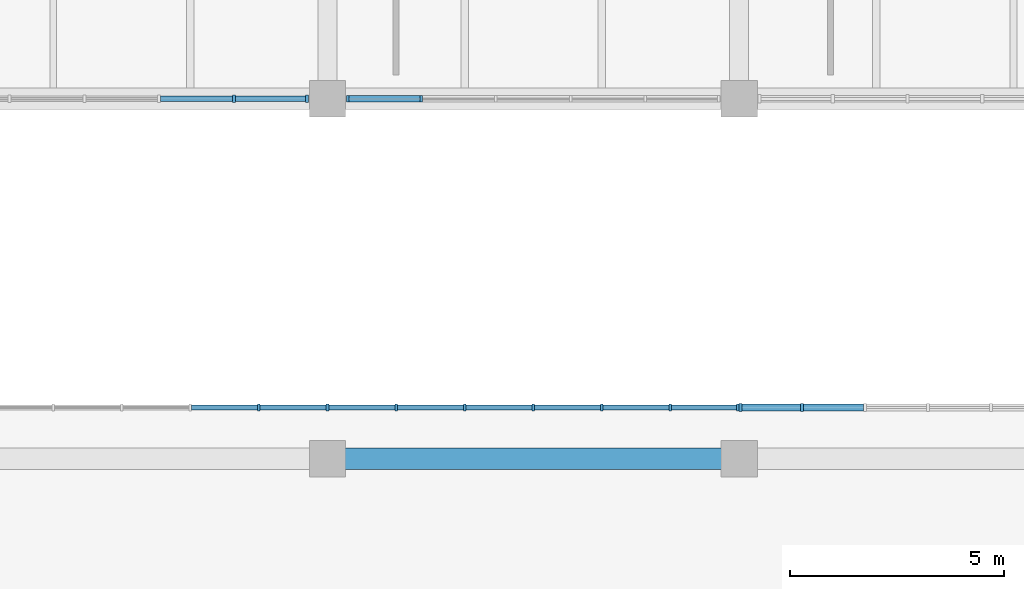
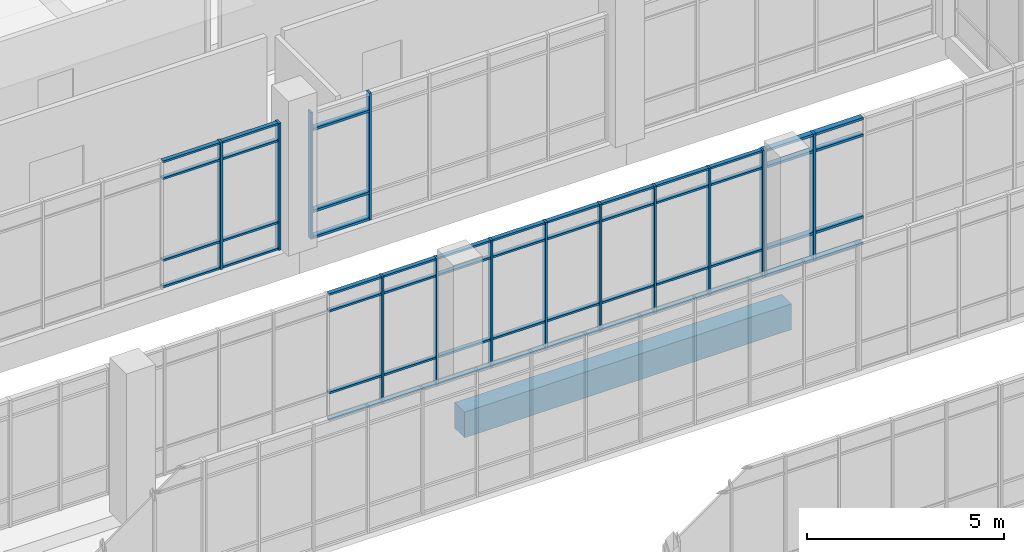
# One storey, part 59 of 152: 65 members, 1 beam, 4 elements without a shape of their own.
"""IFC4 building model written with IfcOpenShell, lengths in metres."""

from ifc_helpers import new_model, si_unit, direction, frame, origin, origin_2d, place, context, subcontext, project, spatial, rectangle, extrude, material, material_profile, profile_set, type_object, element, aggregate, save


model = new_model("IFC4")

# Units and contexts
model_context = context("Model", 3, precision=1e-05, world=origin(), true_north=direction((0.0, 1.0)))
body_context = subcontext(model_context, "Body", "Model", "MODEL_VIEW")
ifc_project = project(units=[si_unit("LENGTHUNIT", "METRE"), si_unit("AREAUNIT", "SQUARE_METRE"), si_unit("VOLUMEUNIT", "CUBIC_METRE"), si_unit("PLANEANGLEUNIT", "RADIAN"), si_unit("MASSUNIT", "GRAM", prefix="KILO")], contexts=[model_context])

# Site, building, storey
site_placement = place(None, origin())
site = spatial("IfcSite", under=ifc_project, at=site_placement, CompositionType="ELEMENT")
building_placement = place(site_placement, origin())
building = spatial("IfcBuilding", under=site, at=building_placement, Name="Oolite Switchyard Hospital", CompositionType="ELEMENT")
storey_placement = place(building_placement, frame((0.0, 0.0, 5.10009765625)))
storey = spatial("IfcBuildingStorey", under=building, at=storey_placement, Name="L01", CompositionType="ELEMENT", Elevation=5.10009765625)

# Beam
ifc_material_1 = material(Name="Concrete C40/50", Category="concrete")
ifc_material_profile_1 = material_profile(ifc_material_1, rectangle(XDim=0.5, YDim=0.800048828125, at=origin_2d()), Name="RCB500X800")
ifc_profile_set_1 = profile_set([ifc_material_profile_1], Name="Concrete C40/50")
beam_type = type_object("IfcBeamType", Name="BM-RC500X800", PredefinedType="BEAM", material=ifc_profile_set_1)
beam_placement = place(storey_placement, frame((163.199951171875, 50.39990234375, -0.400146484375), z_axis=(1.0, 0.0, 0.0), x_axis=(0.0, 1.0, 0.0)))
element("IfcBeam", 1, at=beam_placement, inside=storey, type_object=beam_type, Name="L01 X-Girder 107", PredefinedType="BEAM", context=body_context, shape_type="SweptSolid", body=[
    extrude(rectangle(XDim=0.5, YDim=0.800048828125, at=origin_2d()), origin(), (0.0, 0.0, 1.0), 9.60009765625),
])

# Curtain wall, members
ifc_material_2 = material(Name="Thermally broken aluminum frame with laminated impact glazing", Category="aluminium")
curtain_wall_type_1 = type_object("IfcCurtainWallType", Name="CW-BRG-96X38", PredefinedType="USERDEFINED", material=ifc_material_2)
curtain_wall_1_placement = place(storey_placement, origin())
curtain_wall_1 = element("IfcCurtainWall", 2, at=curtain_wall_1_placement, inside=storey, type_object=curtain_wall_type_1, Name="L01 Unitised Curtain Wall 128", ObjectType="UNITISED", PredefinedType="USERDEFINED")
ifc_material_3 = material(Name="Aluminium 6063-T6", Category="aluminium")
ifc_material_profile_2 = material_profile(ifc_material_3, rectangle(XDim=0.159912109375, YDim=0.06005859375, at=origin_2d()), Name="CWM60X160")
ifc_profile_set_2 = profile_set([ifc_material_profile_2], Name="Aluminium 6063-T6")
member_type_1 = type_object("IfcMemberType", Name="CW-MUL-180", PredefinedType="MULLION", material=ifc_profile_set_2)
member_1_placement = place(storey_placement, frame((161.60009765625, 51.60009765625, 0.0), z_axis=(0.0, 0.0, 1.0), x_axis=(0.0, 1.0, 0.0)))
member_1 = element("IfcMember", 3, at=member_1_placement, type_object=member_type_1, Name="CW-12 mullion 6", PredefinedType="MULLION", context=body_context, shape_type="SweptSolid", body=[
    extrude(rectangle(XDim=0.159912109375, YDim=0.06005859375, at=origin_2d()), origin(), (0.0, 0.0, 1.0), 3.93994140625),
])
member_2_placement = place(storey_placement, frame((163.199951171875, 51.60009765625, 0.0), z_axis=(0.0, 0.0, 1.0), x_axis=(0.0, 1.0, 0.0)))
member_2 = element("IfcMember", 4, at=member_2_placement, type_object=member_type_1, Name="CW-12 mullion 7", PredefinedType="MULLION", context=body_context, shape_type="SweptSolid", body=[
    extrude(rectangle(XDim=0.159912109375, YDim=0.06005859375, at=origin_2d()), origin(), (0.0, 0.0, 1.0), 3.93994140625),
])
member_3_placement = place(storey_placement, frame((164.800048828125, 51.60009765625, 0.0), z_axis=(0.0, 0.0, 1.0), x_axis=(0.0, 1.0, 0.0)))
member_3 = element("IfcMember", 5, at=member_3_placement, type_object=member_type_1, Name="CW-12 mullion 8", PredefinedType="MULLION", context=body_context, shape_type="SweptSolid", body=[
    extrude(rectangle(XDim=0.159912109375, YDim=0.06005859375, at=origin_2d()), origin(), (0.0, 0.0, 1.0), 3.93994140625),
])
member_4_placement = place(storey_placement, frame((166.39990234375, 51.60009765625, 0.0), z_axis=(0.0, 0.0, 1.0), x_axis=(0.0, 1.0, 0.0)))
member_4 = element("IfcMember", 6, at=member_4_placement, type_object=member_type_1, Name="CW-12 mullion 9", PredefinedType="MULLION", context=body_context, shape_type="SweptSolid", body=[
    extrude(rectangle(XDim=0.159912109375, YDim=0.06005859375, at=origin_2d()), origin(), (0.0, 0.0, 1.0), 3.93994140625),
])
member_5_placement = place(storey_placement, frame((168.0, 51.60009765625, 0.0), z_axis=(0.0, 0.0, 1.0), x_axis=(0.0, 1.0, 0.0)))
member_5 = element("IfcMember", 7, at=member_5_placement, type_object=member_type_1, Name="CW-12 mullion 10", PredefinedType="MULLION", context=body_context, shape_type="SweptSolid", body=[
    extrude(rectangle(XDim=0.159912109375, YDim=0.06005859375, at=origin_2d()), origin(), (0.0, 0.0, 1.0), 3.93994140625),
])
member_6_placement = place(storey_placement, frame((169.60009765625, 51.60009765625, 0.0), z_axis=(0.0, 0.0, 1.0), x_axis=(0.0, 1.0, 0.0)))
member_6 = element("IfcMember", 8, at=member_6_placement, type_object=member_type_1, Name="CW-12 mullion 11", PredefinedType="MULLION", context=body_context, shape_type="SweptSolid", body=[
    extrude(rectangle(XDim=0.159912109375, YDim=0.06005859375, at=origin_2d()), origin(), (0.0, 0.0, 1.0), 3.93994140625),
])
member_7_placement = place(storey_placement, frame((171.199951171875, 51.60009765625, 0.0), z_axis=(0.0, 0.0, 1.0), x_axis=(0.0, 1.0, 0.0)))
member_7 = element("IfcMember", 9, at=member_7_placement, type_object=member_type_1, Name="CW-12 mullion 12", PredefinedType="MULLION", context=body_context, shape_type="SweptSolid", body=[
    extrude(rectangle(XDim=0.159912109375, YDim=0.06005859375, at=origin_2d()), origin(), (0.0, 0.0, 1.0), 3.93994140625),
])
member_8_placement = place(storey_placement, frame((172.77001953125, 51.60009765625, 0.0), z_axis=(0.0, 0.0, 1.0), x_axis=(0.0, 1.0, 0.0)))
member_8 = element("IfcMember", 10, at=member_8_placement, type_object=member_type_1, Name="CW-12 mullion 13", PredefinedType="MULLION", context=body_context, shape_type="SweptSolid", body=[
    extrude(rectangle(XDim=0.159912109375, YDim=0.06005859375, at=origin_2d()), origin(), (0.0, 0.0, 1.0), 3.93994140625),
])

curtain_wall_type_2 = type_object("IfcCurtainWallType", Name="CW-UNIT-96X48", PredefinedType="USERDEFINED", material=ifc_material_2)
curtain_wall_2_placement = place(storey_placement, origin())
curtain_wall_2 = element("IfcCurtainWall", 11, at=curtain_wall_2_placement, inside=storey, type_object=curtain_wall_type_2, Name="L01 Unitised Curtain Wall 131", ObjectType="UNITISED", PredefinedType="USERDEFINED")
member_9_placement = place(storey_placement, frame((165.384033203125, 58.800048828125, 0.0), z_axis=(0.0, 0.0, 1.0), x_axis=(0.0, -1.0, 0.0)))
member_9 = element("IfcMember", 12, at=member_9_placement, type_object=member_type_1, Name="CW-02 mullion 5", PredefinedType="MULLION", context=body_context, shape_type="SweptSolid", body=[
    extrude(rectangle(XDim=0.159912109375, YDim=0.06005859375, at=origin_2d()), origin(), (0.0, 0.0, 1.0), 3.93994140625),
])
member_10_placement = place(storey_placement, frame((163.669921875, 58.800048828125, 0.0), z_axis=(0.0, 0.0, 1.0), x_axis=(0.0, -1.0, 0.0)))
member_10 = element("IfcMember", 13, at=member_10_placement, type_object=member_type_1, Name="CW-02 mullion 6", PredefinedType="MULLION", context=body_context, shape_type="SweptSolid", body=[
    extrude(rectangle(XDim=0.159912109375, YDim=0.06005859375, at=origin_2d()), origin(), (0.0, 0.0, 1.0), 3.93994140625),
])

curtain_wall_3_placement = place(storey_placement, origin())
curtain_wall_3 = element("IfcCurtainWall", 14, at=curtain_wall_3_placement, inside=storey, type_object=curtain_wall_type_1, Name="L01 Unitised Curtain Wall 129", ObjectType="UNITISED", PredefinedType="USERDEFINED")
ifc_material_profile_3 = material_profile(ifc_material_3, rectangle(XDim=0.179931640625, YDim=0.070068359375, at=origin_2d()), Name="CWM70X180")
ifc_profile_set_3 = profile_set([ifc_material_profile_3], Name="Aluminium 6063-T6")
member_type_2 = type_object("IfcMemberType", Name="CW-MUL-220", PredefinedType="MULLION", material=ifc_profile_set_3)
member_11_placement = place(storey_placement, frame((172.8349609375, 51.60009765625, 0.0), z_axis=(0.0, 0.0, 1.0), x_axis=(0.0, 1.0, 0.0)))
member_11 = element("IfcMember", 15, at=member_11_placement, type_object=member_type_2, Name="CW-12 mullion 1", PredefinedType="MULLION", context=body_context, shape_type="SweptSolid", body=[
    extrude(rectangle(XDim=0.179931640625, YDim=0.070068359375, at=origin_2d()), origin(), (0.0, 0.0, 1.0), 3.93994140625),
])
member_12_placement = place(storey_placement, frame((174.26806640625, 51.60009765625, 0.0), z_axis=(0.0, 0.0, 1.0), x_axis=(0.0, 1.0, 0.0)))
member_12 = element("IfcMember", 16, at=member_12_placement, type_object=member_type_2, Name="CW-12 mullion 2", PredefinedType="MULLION", context=body_context, shape_type="SweptSolid", body=[
    extrude(rectangle(XDim=0.179931640625, YDim=0.070068359375, at=origin_2d()), origin(), (0.0, 0.0, 1.0), 3.93994140625),
])

curtain_wall_4_placement = place(storey_placement, origin())
curtain_wall_4 = element("IfcCurtainWall", 17, at=curtain_wall_4_placement, inside=storey, type_object=curtain_wall_type_2, Name="L01 Unitised Curtain Wall 132", ObjectType="UNITISED", PredefinedType="USERDEFINED")
member_13_placement = place(storey_placement, frame((162.72509765625, 58.800048828125, 0.0), z_axis=(0.0, 0.0, 1.0), x_axis=(0.0, -1.0, 0.0)))
member_13 = element("IfcMember", 18, at=member_13_placement, type_object=member_type_2, Name="CW-02 mullion 1", PredefinedType="MULLION", context=body_context, shape_type="SweptSolid", body=[
    extrude(rectangle(XDim=0.179931640625, YDim=0.070068359375, at=origin_2d()), origin(), (0.0, 0.0, 1.0), 3.93994140625),
])
member_14_placement = place(storey_placement, frame((161.01611328125, 58.800048828125, 0.0), z_axis=(0.0, 0.0, 1.0), x_axis=(0.0, -1.0, 0.0)))
member_14 = element("IfcMember", 19, at=member_14_placement, type_object=member_type_2, Name="CW-02 mullion 2", PredefinedType="MULLION", context=body_context, shape_type="SweptSolid", body=[
    extrude(rectangle(XDim=0.179931640625, YDim=0.070068359375, at=origin_2d()), origin(), (0.0, 0.0, 1.0), 3.93994140625),
])

# Member
ifc_material_profile_4 = material_profile(ifc_material_3, rectangle(XDim=0.1201171875, YDim=0.06005859375, at=origin_2d()), Name="CWT60X120")
ifc_profile_set_4 = profile_set([ifc_material_profile_4], Name="Aluminium 6063-T6")
member_type_3 = type_object("IfcMemberType", Name="CW-TRN-150", PredefinedType="USERDEFINED", material=ifc_profile_set_4)
member_15_placement = place(storey_placement, frame((160.030029296875, 51.60009765625, 0.02978515625), z_axis=(1.0, 0.0, 0.0), x_axis=(0.0, 1.0, 0.0)))
member_15 = element("IfcMember", 20, at=member_15_placement, type_object=member_type_3, Name="CW-12 transom 5.1", ObjectType="TRANSOM", PredefinedType="USERDEFINED", context=body_context, shape_type="SweptSolid", body=[
    extrude(rectangle(XDim=0.1201171875, YDim=0.06005859375, at=origin_2d()), origin(), (0.0, 0.0, 1.0), 1.5400390625),
])

member_16_placement = place(storey_placement, frame((160.030029296875, 51.60009765625, 0.849853515625), z_axis=(1.0, 0.0, 0.0), x_axis=(0.0, 1.0, 0.0)))
member_16 = element("IfcMember", 21, at=member_16_placement, type_object=member_type_3, Name="CW-12 transom 5.2", ObjectType="TRANSOM", PredefinedType="USERDEFINED", context=body_context, shape_type="SweptSolid", body=[
    extrude(rectangle(XDim=0.1201171875, YDim=0.06005859375, at=origin_2d()), origin(), (0.0, 0.0, 1.0), 1.5400390625),
])

member_17_placement = place(storey_placement, frame((160.030029296875, 51.60009765625, 3.389892578125), z_axis=(1.0, 0.0, 0.0), x_axis=(0.0, 1.0, 0.0)))
member_17 = element("IfcMember", 22, at=member_17_placement, type_object=member_type_3, Name="CW-12 transom 5.3", ObjectType="TRANSOM", PredefinedType="USERDEFINED", context=body_context, shape_type="SweptSolid", body=[
    extrude(rectangle(XDim=0.1201171875, YDim=0.06005859375, at=origin_2d()), origin(), (0.0, 0.0, 1.0), 1.5400390625),
])

member_18_placement = place(storey_placement, frame((160.030029296875, 51.60009765625, 3.909912109375), z_axis=(1.0, 0.0, 0.0), x_axis=(0.0, 1.0, 0.0)))
member_18 = element("IfcMember", 23, at=member_18_placement, type_object=member_type_3, Name="CW-12 transom 5.4", ObjectType="TRANSOM", PredefinedType="USERDEFINED", context=body_context, shape_type="SweptSolid", body=[
    extrude(rectangle(XDim=0.1201171875, YDim=0.06005859375, at=origin_2d()), origin(), (0.0, 0.0, 1.0), 1.5400390625),
])

member_19_placement = place(storey_placement, frame((161.6298828125, 51.60009765625, 0.02978515625), z_axis=(1.0, 0.0, 0.0), x_axis=(0.0, 1.0, 0.0)))
member_19 = element("IfcMember", 24, at=member_19_placement, type_object=member_type_3, Name="CW-12 transom 6.1", ObjectType="TRANSOM", PredefinedType="USERDEFINED", context=body_context, shape_type="SweptSolid", body=[
    extrude(rectangle(XDim=0.1201171875, YDim=0.06005859375, at=origin_2d()), origin(), (0.0, 0.0, 1.0), 1.5400390625),
])

member_20_placement = place(storey_placement, frame((161.6298828125, 51.60009765625, 0.849853515625), z_axis=(1.0, 0.0, 0.0), x_axis=(0.0, 1.0, 0.0)))
member_20 = element("IfcMember", 25, at=member_20_placement, type_object=member_type_3, Name="CW-12 transom 6.2", ObjectType="TRANSOM", PredefinedType="USERDEFINED", context=body_context, shape_type="SweptSolid", body=[
    extrude(rectangle(XDim=0.1201171875, YDim=0.06005859375, at=origin_2d()), origin(), (0.0, 0.0, 1.0), 1.5400390625),
])

member_21_placement = place(storey_placement, frame((161.6298828125, 51.60009765625, 3.389892578125), z_axis=(1.0, 0.0, 0.0), x_axis=(0.0, 1.0, 0.0)))
member_21 = element("IfcMember", 26, at=member_21_placement, type_object=member_type_3, Name="CW-12 transom 6.3", ObjectType="TRANSOM", PredefinedType="USERDEFINED", context=body_context, shape_type="SweptSolid", body=[
    extrude(rectangle(XDim=0.1201171875, YDim=0.06005859375, at=origin_2d()), origin(), (0.0, 0.0, 1.0), 1.5400390625),
])

member_22_placement = place(storey_placement, frame((161.6298828125, 51.60009765625, 3.909912109375), z_axis=(1.0, 0.0, 0.0), x_axis=(0.0, 1.0, 0.0)))
member_22 = element("IfcMember", 27, at=member_22_placement, type_object=member_type_3, Name="CW-12 transom 6.4", ObjectType="TRANSOM", PredefinedType="USERDEFINED", context=body_context, shape_type="SweptSolid", body=[
    extrude(rectangle(XDim=0.1201171875, YDim=0.06005859375, at=origin_2d()), origin(), (0.0, 0.0, 1.0), 1.5400390625),
])

member_23_placement = place(storey_placement, frame((163.22998046875, 51.60009765625, 0.02978515625), z_axis=(1.0, 0.0, 0.0), x_axis=(0.0, 1.0, 0.0)))
member_23 = element("IfcMember", 28, at=member_23_placement, type_object=member_type_3, Name="CW-12 transom 7.1", ObjectType="TRANSOM", PredefinedType="USERDEFINED", context=body_context, shape_type="SweptSolid", body=[
    extrude(rectangle(XDim=0.1201171875, YDim=0.06005859375, at=origin_2d()), origin(), (0.0, 0.0, 1.0), 1.5400390625),
])

member_24_placement = place(storey_placement, frame((163.22998046875, 51.60009765625, 0.849853515625), z_axis=(1.0, 0.0, 0.0), x_axis=(0.0, 1.0, 0.0)))
member_24 = element("IfcMember", 29, at=member_24_placement, type_object=member_type_3, Name="CW-12 transom 7.2", ObjectType="TRANSOM", PredefinedType="USERDEFINED", context=body_context, shape_type="SweptSolid", body=[
    extrude(rectangle(XDim=0.1201171875, YDim=0.06005859375, at=origin_2d()), origin(), (0.0, 0.0, 1.0), 1.5400390625),
])

member_25_placement = place(storey_placement, frame((163.22998046875, 51.60009765625, 3.389892578125), z_axis=(1.0, 0.0, 0.0), x_axis=(0.0, 1.0, 0.0)))
member_25 = element("IfcMember", 30, at=member_25_placement, type_object=member_type_3, Name="CW-12 transom 7.3", ObjectType="TRANSOM", PredefinedType="USERDEFINED", context=body_context, shape_type="SweptSolid", body=[
    extrude(rectangle(XDim=0.1201171875, YDim=0.06005859375, at=origin_2d()), origin(), (0.0, 0.0, 1.0), 1.5400390625),
])

member_26_placement = place(storey_placement, frame((163.22998046875, 51.60009765625, 3.909912109375), z_axis=(1.0, 0.0, 0.0), x_axis=(0.0, 1.0, 0.0)))
member_26 = element("IfcMember", 31, at=member_26_placement, type_object=member_type_3, Name="CW-12 transom 7.4", ObjectType="TRANSOM", PredefinedType="USERDEFINED", context=body_context, shape_type="SweptSolid", body=[
    extrude(rectangle(XDim=0.1201171875, YDim=0.06005859375, at=origin_2d()), origin(), (0.0, 0.0, 1.0), 1.5400390625),
])

member_27_placement = place(storey_placement, frame((164.830078125, 51.60009765625, 0.02978515625), z_axis=(1.0, 0.0, 0.0), x_axis=(0.0, 1.0, 0.0)))
member_27 = element("IfcMember", 32, at=member_27_placement, type_object=member_type_3, Name="CW-12 transom 8.1", ObjectType="TRANSOM", PredefinedType="USERDEFINED", context=body_context, shape_type="SweptSolid", body=[
    extrude(rectangle(XDim=0.1201171875, YDim=0.06005859375, at=origin_2d()), origin(), (0.0, 0.0, 1.0), 1.5400390625),
])

member_28_placement = place(storey_placement, frame((164.830078125, 51.60009765625, 0.849853515625), z_axis=(1.0, 0.0, 0.0), x_axis=(0.0, 1.0, 0.0)))
member_28 = element("IfcMember", 33, at=member_28_placement, type_object=member_type_3, Name="CW-12 transom 8.2", ObjectType="TRANSOM", PredefinedType="USERDEFINED", context=body_context, shape_type="SweptSolid", body=[
    extrude(rectangle(XDim=0.1201171875, YDim=0.06005859375, at=origin_2d()), origin(), (0.0, 0.0, 1.0), 1.5400390625),
])

member_29_placement = place(storey_placement, frame((164.830078125, 51.60009765625, 3.389892578125), z_axis=(1.0, 0.0, 0.0), x_axis=(0.0, 1.0, 0.0)))
member_29 = element("IfcMember", 34, at=member_29_placement, type_object=member_type_3, Name="CW-12 transom 8.3", ObjectType="TRANSOM", PredefinedType="USERDEFINED", context=body_context, shape_type="SweptSolid", body=[
    extrude(rectangle(XDim=0.1201171875, YDim=0.06005859375, at=origin_2d()), origin(), (0.0, 0.0, 1.0), 1.5400390625),
])

member_30_placement = place(storey_placement, frame((164.830078125, 51.60009765625, 3.909912109375), z_axis=(1.0, 0.0, 0.0), x_axis=(0.0, 1.0, 0.0)))
member_30 = element("IfcMember", 35, at=member_30_placement, type_object=member_type_3, Name="CW-12 transom 8.4", ObjectType="TRANSOM", PredefinedType="USERDEFINED", context=body_context, shape_type="SweptSolid", body=[
    extrude(rectangle(XDim=0.1201171875, YDim=0.06005859375, at=origin_2d()), origin(), (0.0, 0.0, 1.0), 1.5400390625),
])

member_31_placement = place(storey_placement, frame((166.429931640625, 51.60009765625, 0.02978515625), z_axis=(1.0, 0.0, 0.0), x_axis=(0.0, 1.0, 0.0)))
member_31 = element("IfcMember", 36, at=member_31_placement, type_object=member_type_3, Name="CW-12 transom 9.1", ObjectType="TRANSOM", PredefinedType="USERDEFINED", context=body_context, shape_type="SweptSolid", body=[
    extrude(rectangle(XDim=0.1201171875, YDim=0.06005859375, at=origin_2d()), origin(), (0.0, 0.0, 1.0), 1.5400390625),
])

member_32_placement = place(storey_placement, frame((166.429931640625, 51.60009765625, 0.849853515625), z_axis=(1.0, 0.0, 0.0), x_axis=(0.0, 1.0, 0.0)))
member_32 = element("IfcMember", 37, at=member_32_placement, type_object=member_type_3, Name="CW-12 transom 9.2", ObjectType="TRANSOM", PredefinedType="USERDEFINED", context=body_context, shape_type="SweptSolid", body=[
    extrude(rectangle(XDim=0.1201171875, YDim=0.06005859375, at=origin_2d()), origin(), (0.0, 0.0, 1.0), 1.5400390625),
])

member_33_placement = place(storey_placement, frame((166.429931640625, 51.60009765625, 3.389892578125), z_axis=(1.0, 0.0, 0.0), x_axis=(0.0, 1.0, 0.0)))
member_33 = element("IfcMember", 38, at=member_33_placement, type_object=member_type_3, Name="CW-12 transom 9.3", ObjectType="TRANSOM", PredefinedType="USERDEFINED", context=body_context, shape_type="SweptSolid", body=[
    extrude(rectangle(XDim=0.1201171875, YDim=0.06005859375, at=origin_2d()), origin(), (0.0, 0.0, 1.0), 1.5400390625),
])

member_34_placement = place(storey_placement, frame((166.429931640625, 51.60009765625, 3.909912109375), z_axis=(1.0, 0.0, 0.0), x_axis=(0.0, 1.0, 0.0)))
member_34 = element("IfcMember", 39, at=member_34_placement, type_object=member_type_3, Name="CW-12 transom 9.4", ObjectType="TRANSOM", PredefinedType="USERDEFINED", context=body_context, shape_type="SweptSolid", body=[
    extrude(rectangle(XDim=0.1201171875, YDim=0.06005859375, at=origin_2d()), origin(), (0.0, 0.0, 1.0), 1.5400390625),
])

member_35_placement = place(storey_placement, frame((168.030029296875, 51.60009765625, 0.02978515625), z_axis=(1.0, 0.0, 0.0), x_axis=(0.0, 1.0, 0.0)))
member_35 = element("IfcMember", 40, at=member_35_placement, type_object=member_type_3, Name="CW-12 transom 10.1", ObjectType="TRANSOM", PredefinedType="USERDEFINED", context=body_context, shape_type="SweptSolid", body=[
    extrude(rectangle(XDim=0.1201171875, YDim=0.06005859375, at=origin_2d()), origin(), (0.0, 0.0, 1.0), 1.5400390625),
])

member_36_placement = place(storey_placement, frame((168.030029296875, 51.60009765625, 0.849853515625), z_axis=(1.0, 0.0, 0.0), x_axis=(0.0, 1.0, 0.0)))
member_36 = element("IfcMember", 41, at=member_36_placement, type_object=member_type_3, Name="CW-12 transom 10.2", ObjectType="TRANSOM", PredefinedType="USERDEFINED", context=body_context, shape_type="SweptSolid", body=[
    extrude(rectangle(XDim=0.1201171875, YDim=0.06005859375, at=origin_2d()), origin(), (0.0, 0.0, 1.0), 1.5400390625),
])

member_37_placement = place(storey_placement, frame((168.030029296875, 51.60009765625, 3.389892578125), z_axis=(1.0, 0.0, 0.0), x_axis=(0.0, 1.0, 0.0)))
member_37 = element("IfcMember", 42, at=member_37_placement, type_object=member_type_3, Name="CW-12 transom 10.3", ObjectType="TRANSOM", PredefinedType="USERDEFINED", context=body_context, shape_type="SweptSolid", body=[
    extrude(rectangle(XDim=0.1201171875, YDim=0.06005859375, at=origin_2d()), origin(), (0.0, 0.0, 1.0), 1.5400390625),
])

member_38_placement = place(storey_placement, frame((168.030029296875, 51.60009765625, 3.909912109375), z_axis=(1.0, 0.0, 0.0), x_axis=(0.0, 1.0, 0.0)))
member_38 = element("IfcMember", 43, at=member_38_placement, type_object=member_type_3, Name="CW-12 transom 10.4", ObjectType="TRANSOM", PredefinedType="USERDEFINED", context=body_context, shape_type="SweptSolid", body=[
    extrude(rectangle(XDim=0.1201171875, YDim=0.06005859375, at=origin_2d()), origin(), (0.0, 0.0, 1.0), 1.5400390625),
])

member_39_placement = place(storey_placement, frame((169.6298828125, 51.60009765625, 0.02978515625), z_axis=(1.0, 0.0, 0.0), x_axis=(0.0, 1.0, 0.0)))
member_39 = element("IfcMember", 44, at=member_39_placement, type_object=member_type_3, Name="CW-12 transom 11.1", ObjectType="TRANSOM", PredefinedType="USERDEFINED", context=body_context, shape_type="SweptSolid", body=[
    extrude(rectangle(XDim=0.1201171875, YDim=0.06005859375, at=origin_2d()), origin(), (0.0, 0.0, 1.0), 1.5400390625),
])

member_40_placement = place(storey_placement, frame((169.6298828125, 51.60009765625, 0.849853515625), z_axis=(1.0, 0.0, 0.0), x_axis=(0.0, 1.0, 0.0)))
member_40 = element("IfcMember", 45, at=member_40_placement, type_object=member_type_3, Name="CW-12 transom 11.2", ObjectType="TRANSOM", PredefinedType="USERDEFINED", context=body_context, shape_type="SweptSolid", body=[
    extrude(rectangle(XDim=0.1201171875, YDim=0.06005859375, at=origin_2d()), origin(), (0.0, 0.0, 1.0), 1.5400390625),
])

member_41_placement = place(storey_placement, frame((169.6298828125, 51.60009765625, 3.389892578125), z_axis=(1.0, 0.0, 0.0), x_axis=(0.0, 1.0, 0.0)))
member_41 = element("IfcMember", 46, at=member_41_placement, type_object=member_type_3, Name="CW-12 transom 11.3", ObjectType="TRANSOM", PredefinedType="USERDEFINED", context=body_context, shape_type="SweptSolid", body=[
    extrude(rectangle(XDim=0.1201171875, YDim=0.06005859375, at=origin_2d()), origin(), (0.0, 0.0, 1.0), 1.5400390625),
])

member_42_placement = place(storey_placement, frame((169.6298828125, 51.60009765625, 3.909912109375), z_axis=(1.0, 0.0, 0.0), x_axis=(0.0, 1.0, 0.0)))
member_42 = element("IfcMember", 47, at=member_42_placement, type_object=member_type_3, Name="CW-12 transom 11.4", ObjectType="TRANSOM", PredefinedType="USERDEFINED", context=body_context, shape_type="SweptSolid", body=[
    extrude(rectangle(XDim=0.1201171875, YDim=0.06005859375, at=origin_2d()), origin(), (0.0, 0.0, 1.0), 1.5400390625),
])

member_43_placement = place(storey_placement, frame((171.22998046875, 51.60009765625, 0.02978515625), z_axis=(1.0, 0.0, 0.0), x_axis=(0.0, 1.0, 0.0)))
member_43 = element("IfcMember", 48, at=member_43_placement, type_object=member_type_3, Name="CW-12 transom 12.1", ObjectType="TRANSOM", PredefinedType="USERDEFINED", context=body_context, shape_type="SweptSolid", body=[
    extrude(rectangle(XDim=0.1201171875, YDim=0.06005859375, at=origin_2d()), origin(), (0.0, 0.0, 1.0), 1.510009765625),
])

member_44_placement = place(storey_placement, frame((171.22998046875, 51.60009765625, 0.849853515625), z_axis=(1.0, 0.0, 0.0), x_axis=(0.0, 1.0, 0.0)))
member_44 = element("IfcMember", 49, at=member_44_placement, type_object=member_type_3, Name="CW-12 transom 12.2", ObjectType="TRANSOM", PredefinedType="USERDEFINED", context=body_context, shape_type="SweptSolid", body=[
    extrude(rectangle(XDim=0.1201171875, YDim=0.06005859375, at=origin_2d()), origin(), (0.0, 0.0, 1.0), 1.510009765625),
])

member_45_placement = place(storey_placement, frame((171.22998046875, 51.60009765625, 3.389892578125), z_axis=(1.0, 0.0, 0.0), x_axis=(0.0, 1.0, 0.0)))
member_45 = element("IfcMember", 50, at=member_45_placement, type_object=member_type_3, Name="CW-12 transom 12.3", ObjectType="TRANSOM", PredefinedType="USERDEFINED", context=body_context, shape_type="SweptSolid", body=[
    extrude(rectangle(XDim=0.1201171875, YDim=0.06005859375, at=origin_2d()), origin(), (0.0, 0.0, 1.0), 1.510009765625),
])

member_46_placement = place(storey_placement, frame((171.22998046875, 51.60009765625, 3.909912109375), z_axis=(1.0, 0.0, 0.0), x_axis=(0.0, 1.0, 0.0)))
member_46 = element("IfcMember", 51, at=member_46_placement, type_object=member_type_3, Name="CW-12 transom 12.4", ObjectType="TRANSOM", PredefinedType="USERDEFINED", context=body_context, shape_type="SweptSolid", body=[
    extrude(rectangle(XDim=0.1201171875, YDim=0.06005859375, at=origin_2d()), origin(), (0.0, 0.0, 1.0), 1.510009765625),
])

aggregate(curtain_wall_1, [member_1, member_2, member_3, member_4, member_5, member_6, member_7, member_8, member_15, member_16, member_17, member_18, member_19, member_20, member_21, member_22, member_23, member_24, member_25, member_26, member_27, member_28, member_29, member_30, member_31, member_32, member_33, member_34, member_35, member_36, member_37, member_38, member_39, member_40, member_41, member_42, member_43, member_44, member_45, member_46])

member_47_placement = place(storey_placement, frame((162.68994140625, 58.800048828125, 0.02978515625), z_axis=(-1.0, 0.0, 0.0), x_axis=(0.0, -1.0, 0.0)))
member_47 = element("IfcMember", 52, at=member_47_placement, type_object=member_type_3, Name="CW-02 transom 1.1", ObjectType="TRANSOM", PredefinedType="USERDEFINED", context=body_context, shape_type="SweptSolid", body=[
    extrude(rectangle(XDim=0.1201171875, YDim=0.06005859375, at=origin_2d()), origin(), (0.0, 0.0, 1.0), 1.638916015625),
])

member_48_placement = place(storey_placement, frame((162.68994140625, 58.800048828125, 0.849853515625), z_axis=(-1.0, 0.0, 0.0), x_axis=(0.0, -1.0, 0.0)))
member_48 = element("IfcMember", 53, at=member_48_placement, type_object=member_type_3, Name="CW-02 transom 1.2", ObjectType="TRANSOM", PredefinedType="USERDEFINED", context=body_context, shape_type="SweptSolid", body=[
    extrude(rectangle(XDim=0.1201171875, YDim=0.06005859375, at=origin_2d()), origin(), (0.0, 0.0, 1.0), 1.638916015625),
])

member_49_placement = place(storey_placement, frame((162.68994140625, 58.800048828125, 3.389892578125), z_axis=(-1.0, 0.0, 0.0), x_axis=(0.0, -1.0, 0.0)))
member_49 = element("IfcMember", 54, at=member_49_placement, type_object=member_type_3, Name="CW-02 transom 1.3", ObjectType="TRANSOM", PredefinedType="USERDEFINED", context=body_context, shape_type="SweptSolid", body=[
    extrude(rectangle(XDim=0.1201171875, YDim=0.06005859375, at=origin_2d()), origin(), (0.0, 0.0, 1.0), 1.638916015625),
])

member_50_placement = place(storey_placement, frame((162.68994140625, 58.800048828125, 3.909912109375), z_axis=(-1.0, 0.0, 0.0), x_axis=(0.0, -1.0, 0.0)))
member_50 = element("IfcMember", 55, at=member_50_placement, type_object=member_type_3, Name="CW-02 transom 1.4", ObjectType="TRANSOM", PredefinedType="USERDEFINED", context=body_context, shape_type="SweptSolid", body=[
    extrude(rectangle(XDim=0.1201171875, YDim=0.06005859375, at=origin_2d()), origin(), (0.0, 0.0, 1.0), 1.638916015625),
])

member_51_placement = place(storey_placement, frame((160.98095703125, 58.800048828125, 0.02978515625), z_axis=(-1.0, 0.0, 0.0), x_axis=(0.0, -1.0, 0.0)))
member_51 = element("IfcMember", 56, at=member_51_placement, type_object=member_type_3, Name="CW-02 transom 2.1", ObjectType="TRANSOM", PredefinedType="USERDEFINED", context=body_context, shape_type="SweptSolid", body=[
    extrude(rectangle(XDim=0.1201171875, YDim=0.06005859375, at=origin_2d()), origin(), (0.0, 0.0, 1.0), 1.674072265625),
])

member_52_placement = place(storey_placement, frame((160.98095703125, 58.800048828125, 0.849853515625), z_axis=(-1.0, 0.0, 0.0), x_axis=(0.0, -1.0, 0.0)))
member_52 = element("IfcMember", 57, at=member_52_placement, type_object=member_type_3, Name="CW-02 transom 2.2", ObjectType="TRANSOM", PredefinedType="USERDEFINED", context=body_context, shape_type="SweptSolid", body=[
    extrude(rectangle(XDim=0.1201171875, YDim=0.06005859375, at=origin_2d()), origin(), (0.0, 0.0, 1.0), 1.674072265625),
])

member_53_placement = place(storey_placement, frame((160.98095703125, 58.800048828125, 3.389892578125), z_axis=(-1.0, 0.0, 0.0), x_axis=(0.0, -1.0, 0.0)))
member_53 = element("IfcMember", 58, at=member_53_placement, type_object=member_type_3, Name="CW-02 transom 2.3", ObjectType="TRANSOM", PredefinedType="USERDEFINED", context=body_context, shape_type="SweptSolid", body=[
    extrude(rectangle(XDim=0.1201171875, YDim=0.06005859375, at=origin_2d()), origin(), (0.0, 0.0, 1.0), 1.674072265625),
])

member_54_placement = place(storey_placement, frame((160.98095703125, 58.800048828125, 3.909912109375), z_axis=(-1.0, 0.0, 0.0), x_axis=(0.0, -1.0, 0.0)))
member_54 = element("IfcMember", 59, at=member_54_placement, type_object=member_type_3, Name="CW-02 transom 2.4", ObjectType="TRANSOM", PredefinedType="USERDEFINED", context=body_context, shape_type="SweptSolid", body=[
    extrude(rectangle(XDim=0.1201171875, YDim=0.06005859375, at=origin_2d()), origin(), (0.0, 0.0, 1.0), 1.674072265625),
])

aggregate(curtain_wall_4, [member_13, member_14, member_47, member_48, member_49, member_50, member_51, member_52, member_53, member_54])

ifc_material_profile_5 = material_profile(ifc_material_3, rectangle(XDim=0.159912109375, YDim=0.074951171875, at=origin_2d()), Name="CWT75X160")
ifc_profile_set_5 = profile_set([ifc_material_profile_5], Name="Aluminium 6063-T6")
member_type_4 = type_object("IfcMemberType", Name="CW-TRN-180", PredefinedType="USERDEFINED", material=ifc_profile_set_5)
member_55_placement = place(storey_placement, frame((172.8701171875, 51.60009765625, 0.037353515625), z_axis=(1.0, 0.0, 0.0), x_axis=(0.0, 1.0, 0.0)))
member_55 = element("IfcMember", 60, at=member_55_placement, type_object=member_type_4, Name="CW-12 transom 1.1", ObjectType="TRANSOM", PredefinedType="USERDEFINED", context=body_context, shape_type="SweptSolid", body=[
    extrude(rectangle(XDim=0.159912109375, YDim=0.074951171875, at=origin_2d()), origin(), (0.0, 0.0, 1.0), 1.36279296875),
])

member_56_placement = place(storey_placement, frame((172.8701171875, 51.60009765625, 0.849853515625), z_axis=(1.0, 0.0, 0.0), x_axis=(0.0, 1.0, 0.0)))
member_56 = element("IfcMember", 61, at=member_56_placement, type_object=member_type_4, Name="CW-12 transom 1.2", ObjectType="TRANSOM", PredefinedType="USERDEFINED", context=body_context, shape_type="SweptSolid", body=[
    extrude(rectangle(XDim=0.159912109375, YDim=0.074951171875, at=origin_2d()), origin(), (0.0, 0.0, 1.0), 1.36279296875),
])

member_57_placement = place(storey_placement, frame((172.8701171875, 51.60009765625, 3.389892578125), z_axis=(1.0, 0.0, 0.0), x_axis=(0.0, 1.0, 0.0)))
member_57 = element("IfcMember", 62, at=member_57_placement, type_object=member_type_4, Name="CW-12 transom 1.3", ObjectType="TRANSOM", PredefinedType="USERDEFINED", context=body_context, shape_type="SweptSolid", body=[
    extrude(rectangle(XDim=0.159912109375, YDim=0.074951171875, at=origin_2d()), origin(), (0.0, 0.0, 1.0), 1.36279296875),
])

member_58_placement = place(storey_placement, frame((172.8701171875, 51.60009765625, 3.90234375), z_axis=(1.0, 0.0, 0.0), x_axis=(0.0, 1.0, 0.0)))
member_58 = element("IfcMember", 63, at=member_58_placement, type_object=member_type_4, Name="CW-12 transom 1.4", ObjectType="TRANSOM", PredefinedType="USERDEFINED", context=body_context, shape_type="SweptSolid", body=[
    extrude(rectangle(XDim=0.159912109375, YDim=0.074951171875, at=origin_2d()), origin(), (0.0, 0.0, 1.0), 1.36279296875),
])

member_59_placement = place(storey_placement, frame((174.302978515625, 51.60009765625, 0.037353515625), z_axis=(1.0, 0.0, 0.0), x_axis=(0.0, 1.0, 0.0)))
member_59 = element("IfcMember", 64, at=member_59_placement, type_object=member_type_4, Name="CW-12 transom 2.1", ObjectType="TRANSOM", PredefinedType="USERDEFINED", context=body_context, shape_type="SweptSolid", body=[
    extrude(rectangle(XDim=0.159912109375, YDim=0.074951171875, at=origin_2d()), origin(), (0.0, 0.0, 1.0), 1.39794921875),
])

member_60_placement = place(storey_placement, frame((174.302978515625, 51.60009765625, 0.849853515625), z_axis=(1.0, 0.0, 0.0), x_axis=(0.0, 1.0, 0.0)))
member_60 = element("IfcMember", 65, at=member_60_placement, type_object=member_type_4, Name="CW-12 transom 2.2", ObjectType="TRANSOM", PredefinedType="USERDEFINED", context=body_context, shape_type="SweptSolid", body=[
    extrude(rectangle(XDim=0.159912109375, YDim=0.074951171875, at=origin_2d()), origin(), (0.0, 0.0, 1.0), 1.39794921875),
])

member_61_placement = place(storey_placement, frame((174.302978515625, 51.60009765625, 3.389892578125), z_axis=(1.0, 0.0, 0.0), x_axis=(0.0, 1.0, 0.0)))
member_61 = element("IfcMember", 66, at=member_61_placement, type_object=member_type_4, Name="CW-12 transom 2.3", ObjectType="TRANSOM", PredefinedType="USERDEFINED", context=body_context, shape_type="SweptSolid", body=[
    extrude(rectangle(XDim=0.159912109375, YDim=0.074951171875, at=origin_2d()), origin(), (0.0, 0.0, 1.0), 1.39794921875),
])

member_62_placement = place(storey_placement, frame((174.302978515625, 51.60009765625, 3.90234375), z_axis=(1.0, 0.0, 0.0), x_axis=(0.0, 1.0, 0.0)))
member_62 = element("IfcMember", 67, at=member_62_placement, type_object=member_type_4, Name="CW-12 transom 2.4", ObjectType="TRANSOM", PredefinedType="USERDEFINED", context=body_context, shape_type="SweptSolid", body=[
    extrude(rectangle(XDim=0.159912109375, YDim=0.074951171875, at=origin_2d()), origin(), (0.0, 0.0, 1.0), 1.39794921875),
])

aggregate(curtain_wall_3, [member_11, member_12, member_55, member_56, member_57, member_58, member_59, member_60, member_61, member_62])

member_63_placement = place(storey_placement, frame((165.35400390625, 58.800048828125, 0.037353515625), z_axis=(-1.0, 0.0, 0.0), x_axis=(0.0, -1.0, 0.0)))
member_63 = element("IfcMember", 68, at=member_63_placement, type_object=member_type_4, Name="CW-02 transom 5.1", ObjectType="TRANSOM", PredefinedType="USERDEFINED", context=body_context, shape_type="SweptSolid", body=[
    extrude(rectangle(XDim=0.159912109375, YDim=0.074951171875, at=origin_2d()), origin(), (0.0, 0.0, 1.0), 1.654052734375),
])

member_64_placement = place(storey_placement, frame((165.35400390625, 58.800048828125, 0.849853515625), z_axis=(-1.0, 0.0, 0.0), x_axis=(0.0, -1.0, 0.0)))
member_64 = element("IfcMember", 69, at=member_64_placement, type_object=member_type_4, Name="CW-02 transom 5.2", ObjectType="TRANSOM", PredefinedType="USERDEFINED", context=body_context, shape_type="SweptSolid", body=[
    extrude(rectangle(XDim=0.159912109375, YDim=0.074951171875, at=origin_2d()), origin(), (0.0, 0.0, 1.0), 1.654052734375),
])

member_65_placement = place(storey_placement, frame((165.35400390625, 58.800048828125, 3.389892578125), z_axis=(-1.0, 0.0, 0.0), x_axis=(0.0, -1.0, 0.0)))
member_65 = element("IfcMember", 70, at=member_65_placement, type_object=member_type_4, Name="CW-02 transom 5.3", ObjectType="TRANSOM", PredefinedType="USERDEFINED", context=body_context, shape_type="SweptSolid", body=[
    extrude(rectangle(XDim=0.159912109375, YDim=0.074951171875, at=origin_2d()), origin(), (0.0, 0.0, 1.0), 1.654052734375),
])

aggregate(curtain_wall_2, [member_9, member_10, member_63, member_64, member_65])

save(model, "model.ifc")
